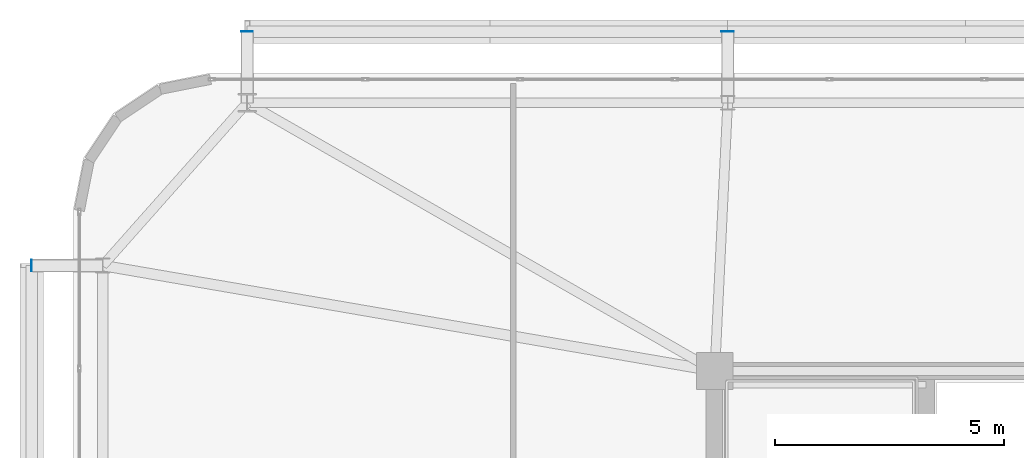
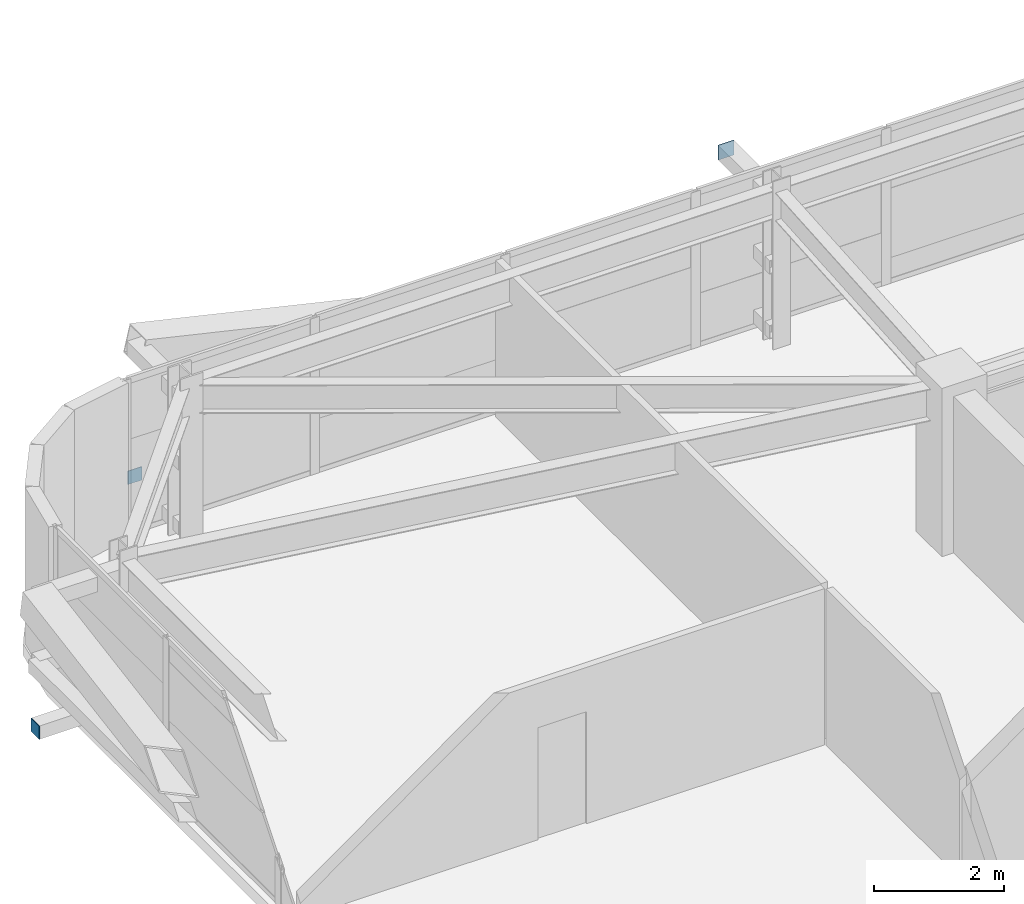
# One storey, part 49 of 58: 3 plates.
"""IFC4 building model written with IfcOpenShell, lengths in metres."""

from ifc_helpers import new_model, si_unit, direction, frame, origin, origin_2d, place, context, subcontext, project, spatial, rectangle, extrude, source, transform, mapped, material, layer, layer_set, type_object, element, save


model = new_model("IFC4")

# Units and contexts
model_context = context("Model", 3, precision=1e-05, world=origin(), true_north=direction((0.0, 1.0)))
body_context = subcontext(model_context, "Body", "Model", "MODEL_VIEW")
ifc_project = project(units=[si_unit("LENGTHUNIT", "METRE"), si_unit("AREAUNIT", "SQUARE_METRE"), si_unit("VOLUMEUNIT", "CUBIC_METRE"), si_unit("PLANEANGLEUNIT", "RADIAN"), si_unit("MASSUNIT", "GRAM", prefix="KILO")], contexts=[model_context])

# Site, building, storey
site_placement = place(None, origin())
site = spatial("IfcSite", under=ifc_project, at=site_placement, CompositionType="ELEMENT")
building_placement = place(site_placement, origin())
building = spatial("IfcBuilding", under=site, at=building_placement, Name="Taldren Reach Tower", CompositionType="ELEMENT")
storey_placement = place(building_placement, frame((0.0, 0.0, 51.449951171875)))
storey = spatial("IfcBuildingStorey", under=building, at=storey_placement, Name="L15", CompositionType="ELEMENT", Elevation=51.449951171875)

# Plates
ifc_material_1 = material(Name="Steel Gr 450 (C450L0)", Category="steel")
ifc_layer_1 = layer(ifc_material_1, 0.011962890625)
ifc_layer_set_1 = layer_set([ifc_layer_1], Name="Steel Gr 450 (C450L0)")
plate_type_1 = type_object("IfcPlateType", Name="PL-CAP-275", PredefinedType="SHEET", material=ifc_layer_set_1)
shared_shape_1 = source(origin(), body_context, "Body", "SweptSolid", [
    extrude(rectangle(XDim=0.27490234375, YDim=0.011962890625, at=origin_2d()), origin(), (0.0, 0.0, 1.0), 0.27490234375),
])
plate_1_placement = place(storey_placement, frame((19.280029296875, 39.406005859375, 2.5126953125), z_axis=(0.0, 0.0, 1.0), x_axis=(1.0, 0.0, 0.0)))
element("IfcPlate", 1, at=plate_1_placement, inside=storey, type_object=plate_type_1, Name="Tie strut end cap plate B1-N2 L15", PredefinedType="SHEET", context=body_context, shape_type="MappedRepresentation", body=[
    mapped(shared_shape_1, transform((0.0, 0.0, 0.0), scale=1.0)),
])
ifc_material_2 = material(Name="Steel Gr 350 (C350L0)", Category="steel")
ifc_layer_2 = layer(ifc_material_2, 0.011962890625)
ifc_layer_set_2 = layer_set([ifc_layer_2], Name="Steel Gr 350 (C350L0)")
plate_type_2 = type_object("IfcPlateType", Name="PL-CAP-250", PredefinedType="SHEET", material=ifc_layer_set_2)
shared_shape_2 = source(origin(), body_context, "Body", "SweptSolid", [
    extrude(rectangle(XDim=0.25, YDim=0.011962890625, at=origin_2d()), origin(), (0.0, 0.0, 1.0), 0.25),
])
plate_2_placement = place(storey_placement, frame((8.800048828125, 39.406005859375, 0.094970703125), z_axis=(0.0, 0.0, 1.0), x_axis=(1.0, 0.0, 0.0)))
element("IfcPlate", 2, at=plate_2_placement, inside=storey, type_object=plate_type_2, Name="Tie strut end cap plate B1-N1 L15", PredefinedType="SHEET", context=body_context, shape_type="MappedRepresentation", body=[
    mapped(shared_shape_2, transform((0.0, 0.0, 0.0), scale=1.0)),
])
shared_shape_3 = source(origin(), body_context, "Body", "SweptSolid", [
    extrude(rectangle(XDim=0.011962890625, YDim=0.25, at=origin_2d()), origin(), (0.0, 0.0, 1.0), 0.25),
])
plate_3_placement = place(storey_placement, frame((4.093994140625, 34.300048828125, 0.094970703125), z_axis=(0.0, 0.0, 1.0), x_axis=(1.0, 0.0, 0.0)))
element("IfcPlate", 3, at=plate_3_placement, inside=storey, type_object=plate_type_2, Name="Tie strut end cap plate B1-W3 L15", PredefinedType="SHEET", context=body_context, shape_type="MappedRepresentation", body=[
    mapped(shared_shape_3, transform((0.0, 0.0, 0.0), scale=1.0)),
])

save(model, "model.ifc")
